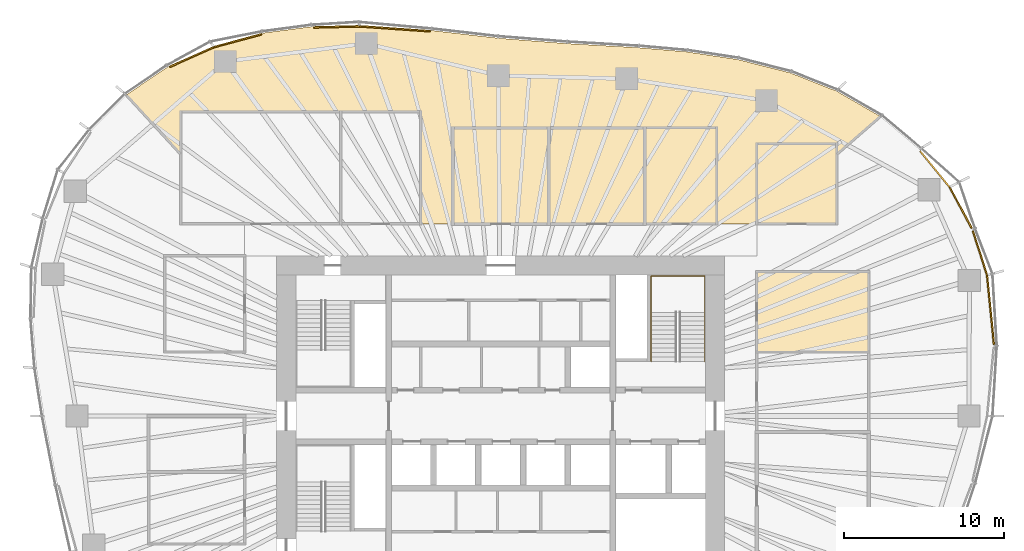
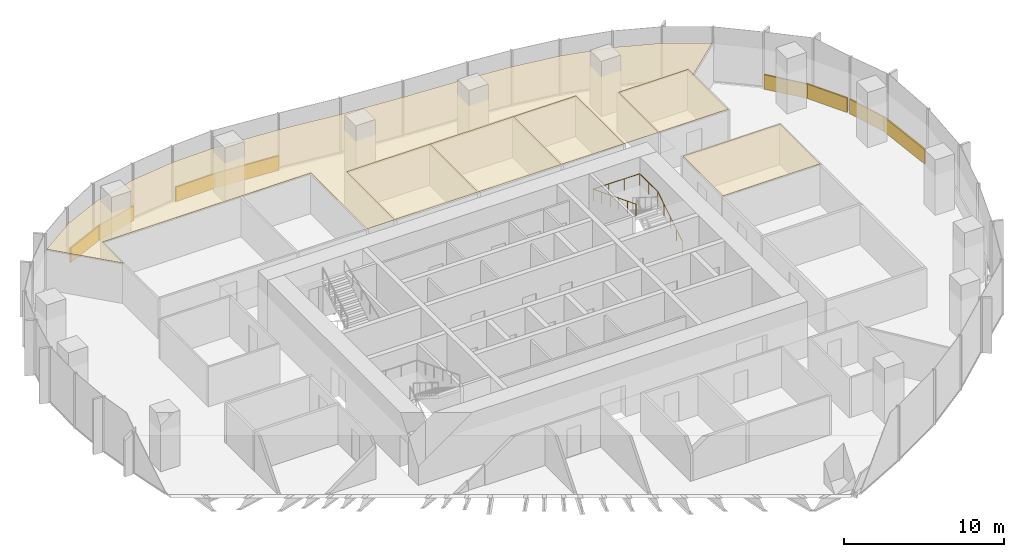
# One storey, part 18 of 18: 14 coverings, 1 railing.
"""IFC4 building model written with IfcOpenShell, lengths in metres."""

from ifc_helpers import new_model, si_unit, direction, frame, origin, origin_2d, place, context, subcontext, project, spatial, polyline, rectangle, circle, outline, extrude, material, layer, layer_set, type_object, element, save


model = new_model("IFC4")

# Units and contexts
model_context = context("Model", 3, precision=1e-05, world=origin(), true_north=direction((0.0, 1.0)))
body_context = subcontext(model_context, "Body", "Model", "MODEL_VIEW")
ifc_project = project(units=[si_unit("LENGTHUNIT", "METRE"), si_unit("AREAUNIT", "SQUARE_METRE"), si_unit("VOLUMEUNIT", "CUBIC_METRE"), si_unit("PLANEANGLEUNIT", "RADIAN"), si_unit("MASSUNIT", "GRAM", prefix="KILO")], contexts=[model_context])

# Site, building, storey
site_placement = place(None, origin())
site = spatial("IfcSite", under=ifc_project, at=site_placement, CompositionType="ELEMENT")
building_placement = place(site_placement, origin())
building = spatial("IfcBuilding", under=site, at=building_placement, Name="Ghaith Harvest Tower", CompositionType="ELEMENT")
storey_placement = place(building_placement, frame((0.0, 0.0, 155.39990234375)))
storey = spatial("IfcBuildingStorey", under=building, at=storey_placement, Name="L33", CompositionType="ELEMENT", Elevation=155.39990234375)

# Coverings
ifc_material_1 = material(Name="Mineral fibre ceiling tile", Category="gypsum")
ifc_layer_1 = layer(ifc_material_1, 0.02001953125)
ifc_layer_set_1 = layer_set([ifc_layer_1], Name="CEILING C1")
covering_type_1 = type_object("IfcCoveringType", Name="CEILING C1", PredefinedType="CEILING", material=ifc_layer_set_1)
covering_1_placement = place(storey_placement, frame((0.0, 0.0, 3.0)))
element("IfcCovering", 1, at=covering_1_placement, inside=storey, type_object=covering_type_1, Name="Ceiling L33-07", PredefinedType="CEILING", context=body_context, shape_type="SweptSolid", body=[
    extrude(outline(polyline([(-3.0, 12.0), (3.0, 12.0), (3.0, 18.0), (-3.0, 18.0), (-3.0, 12.0)])), origin(), (0.0, 0.0, 1.0), 0.02001953125),
])
covering_2_placement = place(storey_placement, frame((0.0, 0.0, 3.0)))
element("IfcCovering", 2, at=covering_2_placement, inside=storey, type_object=covering_type_1, Name="Ceiling L33-08", PredefinedType="CEILING", context=body_context, shape_type="SweptSolid", body=[
    extrude(outline(polyline([(3.0, 12.0), (9.0, 12.0), (9.0, 18.0), (3.0, 18.0), (3.0, 12.0)])), origin(), (0.0, 0.0, 1.0), 0.02001953125),
])
covering_3_placement = place(storey_placement, frame((0.0, 0.0, 3.0)))
element("IfcCovering", 3, at=covering_3_placement, inside=storey, type_object=covering_type_1, Name="Ceiling L33-09", PredefinedType="CEILING", context=body_context, shape_type="SweptSolid", body=[
    extrude(outline(polyline([(9.0, 12.0), (13.5, 12.0), (13.5, 18.0), (9.0, 18.0), (9.0, 12.0)])), origin(), (0.0, 0.0, 1.0), 0.02001953125),
])
covering_4_placement = place(storey_placement, frame((0.0, 0.0, 3.0)))
element("IfcCovering", 4, at=covering_4_placement, inside=storey, type_object=covering_type_1, Name="Ceiling L33-12", PredefinedType="CEILING", context=body_context, shape_type="SweptSolid", body=[
    extrude(outline(polyline([(16.0, 4.0), (23.0, 4.0), (23.0, 9.0), (16.0, 9.0), (16.0, 4.0)])), origin(), (0.0, 0.0, 1.0), 0.02001953125),
])
covering_5_placement = place(storey_placement, frame((0.0, 0.0, 3.0)))
element("IfcCovering", 5, at=covering_5_placement, inside=storey, type_object=covering_type_1, Name="Ceiling L33-15", PredefinedType="CEILING", context=body_context, shape_type="SweptSolid", body=[
    extrude(outline(polyline([(16.0, 12.0), (21.0, 12.0), (21.0, 17.0), (16.0, 17.0), (16.0, 12.0)])), origin(), (0.0, 0.0, 1.0), 0.02001953125),
])
covering_6_placement = place(storey_placement, frame((0.0, 0.0, 3.0)))
element("IfcCovering", 6, at=covering_6_placement, inside=storey, type_object=covering_type_1, Name="Ceiling L33-N1", PredefinedType="CEILING", context=body_context, shape_type="SweptSolid", body=[
    extrude(outline(polyline([(-20.79248046875, 21.82470703125), (-17.938232421875, 23.097412109375), (-14.860595703125, 23.927978515625), (-11.788818359375, 24.331787109375), (-8.814208984375, 24.404541015625), (-4.302001953125, 24.089111328125), (-0.16162109375, 23.609619140625), (4.125732421875, 23.272705078125), (8.604736328125, 23.017333984375), (11.617919921875, 22.757080078125), (14.79833984375, 22.27978515625), (18.0849609375, 21.4462890625), (20.97998046875, 20.3056640625), (23.7275390625, 18.718017578125), (21.0, 16.3466796875), (21.0, 17.0), (16.0, 17.0), (16.0, 12.0), (13.5, 12.0), (13.5, 18.0), (-3.0, 18.0), (-3.0, 12.0), (-5.0, 12.0), (-5.0, 19.0), (-20.0, 19.0), (-20.0, 16.3583984375), (-23.398193359375, 20.06103515625), (-20.79248046875, 21.82470703125)])), origin(), (0.0, 0.0, 1.0), 0.02001953125),
])

# Railing
ifc_material_2 = material(Name="Steel, black powder-coated", Category="steel")
railing_type = type_object("IfcRailingType", Name="HANDRAIL HR1", PredefinedType="HANDRAIL", material=ifc_material_2)
railing_placement = place(storey_placement, frame((12.75, 3.39990234375, 0.175048828125)))
element("IfcRailing", 7, at=railing_placement, inside=storey, type_object=railing_type, Name="Handrail HR1 stair ST2 L33 wall side", PredefinedType="HANDRAIL", context=body_context, shape_type="SweptSolid", body=[
    extrude(circle(Radius=0.02392578125, at=origin_2d()), frame((0.0, 0.0, 0.8759765625), z_axis=(0.0, 0.847998304005, 0.529998940003), x_axis=(-1.0, 0.0, 0.0)), (0.0, 0.0, 1.0), 3.632080078125),
    extrude(circle(Radius=0.02392578125, at=origin_2d()), frame((0.0, 3.080078125, 2.80078125), z_axis=(0.0, 1.0, 0.0), x_axis=(-1.0, 0.0, 0.0)), (0.0, 0.0, 1.0), 2.27001953125),
    extrude(circle(Radius=0.02392578125, at=origin_2d()), frame((0.0, 5.35009765625, 2.80078125), z_axis=(-1.0, 0.0, 0.0), x_axis=(0.0, -1.0, 0.0)), (0.0, 0.0, 1.0), 3.35009765625),
    extrude(circle(Radius=0.02392578125, at=origin_2d()), frame((-3.35009765625, 5.35009765625, 2.80078125), z_axis=(0.0, -0.930853684876, 0.365392141887), x_axis=(1.0, 0.0, 0.0)), (0.0, 0.0, 1.0), 5.74755859375),
    extrude(circle(Radius=0.02099609375, at=origin_2d()), origin(), (0.0, 0.0, 1.0), 0.851806640625),
    extrude(circle(Radius=0.02099609375, at=origin_2d()), frame((0.0, 0.77001953125, 0.481201171875)), (0.0, 0.0, 1.0), 0.851806640625),
    extrude(circle(Radius=0.02099609375, at=origin_2d()), frame((0.0, 1.5400390625, 0.96240234375)), (0.0, 0.0, 1.0), 0.851806640625),
    extrude(circle(Radius=0.02099609375, at=origin_2d()), frame((0.0, 2.31005859375, 1.44384765625)), (0.0, 0.0, 1.0), 0.851806640625),
    extrude(circle(Radius=0.02099609375, at=origin_2d()), frame((0.0, 3.080078125, 1.925048828125)), (0.0, 0.0, 1.0), 0.851806640625),
    extrude(circle(Radius=0.02099609375, at=origin_2d()), frame((0.0, 4.215087890625, 1.925048828125)), (0.0, 0.0, 1.0), 0.851806640625),
    extrude(circle(Radius=0.02099609375, at=origin_2d()), frame((0.0, 5.35009765625, 1.925048828125)), (0.0, 0.0, 1.0), 0.851806640625),
    extrude(circle(Radius=0.02099609375, at=origin_2d()), frame((-1.11669921875, 5.35009765625, 1.925048828125)), (0.0, 0.0, 1.0), 0.851806640625),
    extrude(circle(Radius=0.02099609375, at=origin_2d()), frame((-2.2333984375, 5.35009765625, 1.925048828125)), (0.0, 0.0, 1.0), 0.851806640625),
    extrude(circle(Radius=0.02099609375, at=origin_2d()), frame((-3.35009765625, 5.35009765625, 1.925048828125)), (0.0, 0.0, 1.0), 0.851806640625),
    extrude(circle(Radius=0.02099609375, at=origin_2d()), frame((-3.35009765625, 4.280029296875, 2.344970703125)), (0.0, 0.0, 1.0), 0.851806640625),
    extrude(circle(Radius=0.02099609375, at=origin_2d()), frame((-3.35009765625, 3.2099609375, 2.76513671875)), (0.0, 0.0, 1.0), 0.851806640625),
    extrude(circle(Radius=0.02099609375, at=origin_2d()), frame((-3.35009765625, 2.14013671875, 3.18505859375)), (0.0, 0.0, 1.0), 0.851806640625),
    extrude(circle(Radius=0.02099609375, at=origin_2d()), frame((-3.35009765625, 1.070068359375, 3.605224609375)), (0.0, 0.0, 1.0), 0.851806640625),
    extrude(circle(Radius=0.02099609375, at=origin_2d()), frame((-3.35009765625, 0.0, 4.025146484375)), (0.0, 0.0, 1.0), 0.851806640625),
])

# Coverings
ifc_material_3 = material(Name="Insulated aluminium spandrel panel on steel framing", Category="steel")
ifc_layer_2 = layer(ifc_material_3, 0.10009765625)
ifc_layer_set_2 = layer_set([ifc_layer_2], Name="SLAB EDGE UPSTAND 1100x100")
covering_type_2 = type_object("IfcCoveringType", Name="SLAB EDGE UPSTAND 1100x100", PredefinedType="CLADDING", material=ifc_layer_set_2)
covering_7_placement = place(storey_placement, frame((30.604736328125, 6.630126953125, 0.0), z_axis=(0.0, 0.0, 1.0), x_axis=(-0.099131765681, 0.995074315332, 0.0)))
element("IfcCovering", 8, at=covering_7_placement, inside=storey, type_object=covering_type_2, Name="Slab edge upstand 2 bay 01 L33", PredefinedType="CLADDING", context=body_context, shape_type="SweptSolid", body=[
    extrude(rectangle(XDim=4.346435546875, YDim=0.10009765625, at=origin_2d()), origin(), (0.0, 0.0, 1.0), 1.10009765625),
])
covering_8_placement = place(storey_placement, frame((29.948486328125, 10.171875, 0.0), z_axis=(0.0, 0.0, 1.0), x_axis=(-0.303716894855, 0.952762324916, 0.0)))
element("IfcCovering", 9, at=covering_8_placement, inside=storey, type_object=covering_type_2, Name="Slab edge upstand 1 bay 02 L33", PredefinedType="CLADDING", context=body_context, shape_type="SweptSolid", body=[
    extrude(rectangle(XDim=2.916748046875, YDim=0.10009765625, at=origin_2d()), origin(), (0.0, 0.0, 1.0), 1.10009765625),
])
for number, where, z_axis, x_axis, name in (
    (10, (28.738037109375, 13.018798828125, 0.0), (0.0, 0.0, 1.0), (-0.475408661811, 0.87976508471, 0.0), "Slab edge upstand 2 bay 02 L33"),
    (11, (27.127197265625, 15.4228515625, 0.0), (0.0, 0.0, 1.0), (-0.632969558548, 0.774176683937, 0.0), "Slab edge upstand 3 bay 02 L33"),
):
    element("IfcCovering", number, at=place(storey_placement, frame(where, z_axis=z_axis, x_axis=x_axis)), inside=storey, type_object=covering_type_2, Name=name, PredefinedType="CLADDING", context=body_context, shape_type="SweptSolid", body=[
        extrude(rectangle(XDim=2.91650390625, YDim=0.10009765625, at=origin_2d()), origin(), (0.0, 0.0, 1.0), 1.10009765625),
    ])
covering_9_placement = place(storey_placement, frame((-6.611572265625, 24.200439453125, 0.0), z_axis=(0.0, 0.0, 1.0), x_axis=(-0.997566199698, 0.069725728542, 0.0)))
element("IfcCovering", 12, at=covering_9_placement, inside=storey, type_object=covering_type_2, Name="Slab edge upstand 2 bay 06 L33", PredefinedType="CLADDING", context=body_context, shape_type="SweptSolid", body=[
    extrude(rectangle(XDim=4.42333984375, YDim=0.10009765625, at=origin_2d()), origin(), (0.0, 0.0, 1.0), 1.10009765625),
])
covering_10_placement = place(storey_placement, frame((-10.25048828125, 24.3193359375, 0.0), z_axis=(0.0, 0.0, 1.0), x_axis=(-0.999700846757, -0.024458474865, 0.0)))
element("IfcCovering", 13, at=covering_10_placement, inside=storey, type_object=covering_type_2, Name="Slab edge upstand 1 bay 07 L33", PredefinedType="CLADDING", context=body_context, shape_type="SweptSolid", body=[
    extrude(rectangle(XDim=2.87548828125, YDim=0.10009765625, at=origin_2d()), origin(), (0.0, 0.0, 1.0), 1.10009765625),
])
covering_11_placement = place(storey_placement, frame((-16.4345703125, 23.451416015625, 0.0), z_axis=(0.0, 0.0, 1.0), x_axis=(-0.965455035926, -0.260569709685, 0.0)))
element("IfcCovering", 14, at=covering_11_placement, inside=storey, type_object=covering_type_2, Name="Slab edge upstand 3 bay 07 L33", PredefinedType="CLADDING", context=body_context, shape_type="SweptSolid", body=[
    extrude(rectangle(XDim=3.087890625, YDim=0.10009765625, at=origin_2d()), origin(), (0.0, 0.0, 1.0), 1.10009765625),
])
covering_12_placement = place(storey_placement, frame((-19.29931640625, 22.435791015625, 0.0), z_axis=(0.0, 0.0, 1.0), x_axis=(-0.913334621001, -0.40720986, 0.0)))
element("IfcCovering", 15, at=covering_12_placement, inside=storey, type_object=covering_type_2, Name="Slab edge upstand 1 bay 08 L33", PredefinedType="CLADDING", context=body_context, shape_type="SweptSolid", body=[
    extrude(rectangle(XDim=3.025146484375, YDim=0.10009765625, at=origin_2d()), origin(), (0.0, 0.0, 1.0), 1.10009765625),
])

save(model, "model.ifc")
